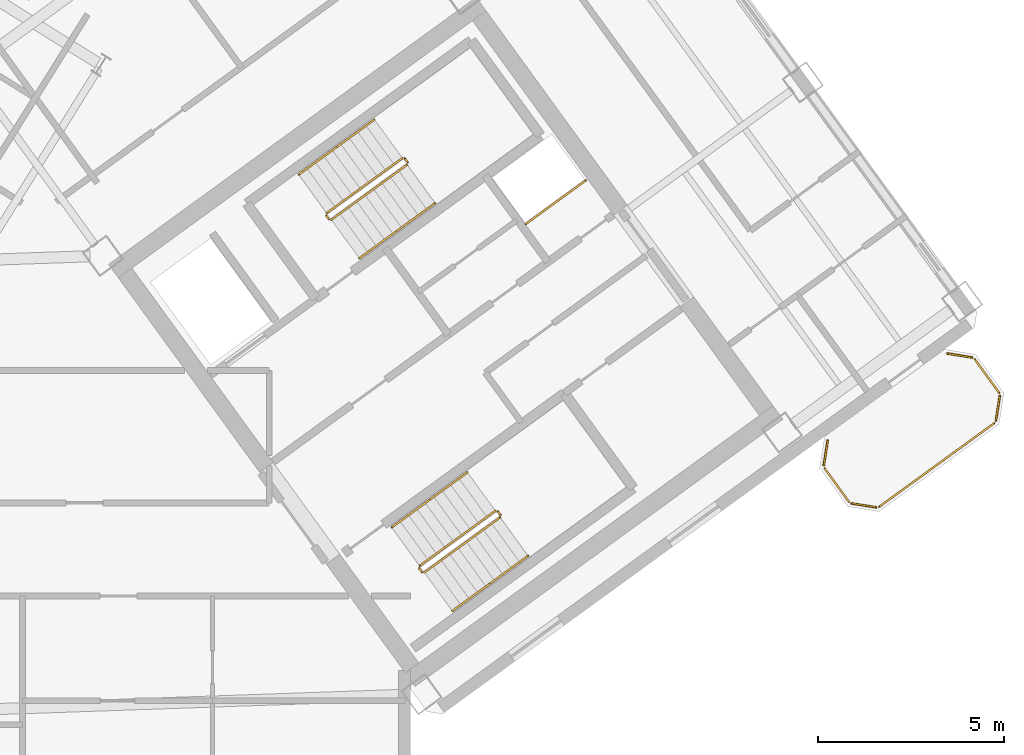
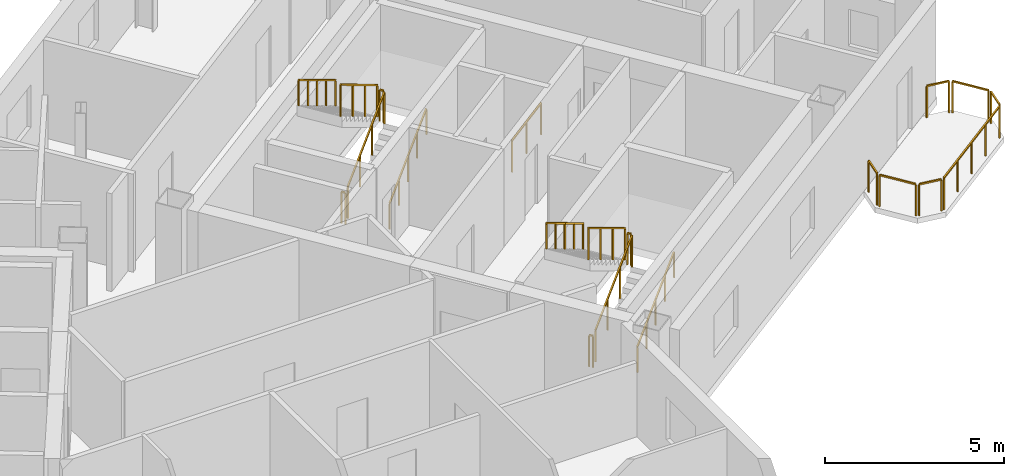
# One storey, part 19 of 20: 24 railings.
"""IFC4 building model written with IfcOpenShell, lengths in metres."""

import ifcopenshell
import ifcopenshell.guid

model = None  # the IFC model being written
_history = None  # IfcOwnerHistory: only IFC2X3 demands one
_inside = {}  # id of a spatial element -> (the spatial element, [elements in it])
_under = {}  # id of a project, library or spatial element -> (it, [spatial elements below it])
_declared = {}  # id of a project -> (the project, [libraries it declares])
_typed = {}  # id of a type object -> (the type object, [elements of that type])
_made_of = {}  # id of a material, layer set ... -> (it, [elements and type objects made of it])


def new_model(schema):
    """Start an empty IFC model of exactly this schema.

    Asked for "IFC4X3", IfcOpenShell would pick the latest addendum, in which some entities
    have other attributes; the version numbers below select the first issue.
    IFC2X3 requires an IfcOwnerHistory on every rooted entity: one is made here for all.
    """
    global model, _history
    if schema == "IFC4X3":
        model = ifcopenshell.file(schema_version=(4, 3, 0, 0))
    else:
        model = ifcopenshell.file(schema=schema)
    _inside.clear()
    _under.clear()
    _declared.clear()
    _typed.clear()
    _made_of.clear()
    _history = None
    if model.schema == "IFC2X3":
        org = make("IfcOrganization", Name="unknown")
        user = make(
            "IfcPersonAndOrganization",
            ThePerson=make("IfcPerson", FamilyName="unknown"),
            TheOrganization=org,
        )
        app = make(
            "IfcApplication",
            ApplicationDeveloper=org,
            Version="unknown",
            ApplicationFullName="unknown",
            ApplicationIdentifier="unknown",
        )
        _history = make(
            "IfcOwnerHistory",
            OwningUser=user,
            OwningApplication=app,
            ChangeAction="ADDED",
            CreationDate=0,
        )
    return model


def make(cls, **values):
    """One entity of the class cls with the attributes given. An attribute that is None is left unset."""
    return model.create_entity(
        cls, **{name: value for name, value in values.items() if value is not None}
    )


def rooted(cls, **values):
    """An entity with a GlobalId (a new one), such as an element, a storey or a relation."""
    return make(cls, GlobalId=ifcopenshell.guid.new(), OwnerHistory=_history, **values)


def si_unit(unit_type, name, prefix=None):
    """IfcSIUnit, for example si_unit("LENGTHUNIT", "METRE", prefix="MILLI")."""
    return make("IfcSIUnit", UnitType=unit_type, Prefix=prefix, Name=name)


def assignment(units):
    """IfcUnitAssignment: the units of a project."""
    return None if units is None else make("IfcUnitAssignment", Units=units)


def point(xyz):
    """IfcCartesianPoint."""
    return None if xyz is None else make("IfcCartesianPoint", Coordinates=xyz)


def direction(xyz):
    """IfcDirection."""
    return None if xyz is None else make("IfcDirection", DirectionRatios=xyz)


def frame(location, z_axis=None, x_axis=None):
    """IfcAxis2Placement3D, a coordinate frame: its origin and axes. An axis left out is left unset."""
    return make(
        "IfcAxis2Placement3D",
        Location=point(location),
        Axis=direction(z_axis),
        RefDirection=direction(x_axis),
    )


def frame_2d(location, x_axis=None):
    """IfcAxis2Placement2D, a coordinate frame in the plane: its origin and x axis."""
    return make(
        "IfcAxis2Placement2D", Location=point(location), RefDirection=direction(x_axis)
    )


def origin():
    """The frame at (0, 0, 0) with its axes left unset."""
    return frame((0.0, 0.0, 0.0))


def origin_2d():
    """The frame at (0, 0) in the plane with its x axis left unset."""
    return frame_2d((0.0, 0.0))


def place(relative_to, where):
    """IfcLocalPlacement: puts the frame where relative to a parent placement (None: the world)."""
    return make(
        "IfcLocalPlacement", PlacementRelTo=relative_to, RelativePlacement=where
    )


def context(
    kind, dimensions, precision=None, world=None, true_north=None, identifier=None
):
    """IfcGeometricRepresentationContext, for example the 3D "Model" context."""
    return make(
        "IfcGeometricRepresentationContext",
        ContextIdentifier=identifier,
        ContextType=kind,
        CoordinateSpaceDimension=dimensions,
        Precision=precision,
        WorldCoordinateSystem=world,
        TrueNorth=true_north,
    )


def subcontext(parent, identifier, kind, view, scale=None):
    """IfcGeometricRepresentationSubContext, for example "Body" below "Model"."""
    return make(
        "IfcGeometricRepresentationSubContext",
        ContextIdentifier=identifier,
        ContextType=kind,
        ParentContext=parent,
        TargetScale=scale,
        TargetView=view,
    )


def project(units=None, contexts=None):
    """IfcProject with its units and contexts."""
    return rooted(
        "IfcProject",
        Name="project",
        RepresentationContexts=contexts,
        UnitsInContext=assignment(units),
    )


def spatial(cls, under=None, at=None, **own):
    """A site, building, storey or space (cls), placed at a placement, below another one or the project."""
    s = rooted(cls, ObjectPlacement=at, **own)
    if under is not None:
        _under.setdefault(under.id(), (under, []))[1].append(s)
    return s


def profile(cls, at=None, kind="AREA", **sizes):
    """A parametric profile (cls). Its sizes go by their IFC names, for example OverallWidth=200.0."""
    return make(cls, ProfileType=kind, Position=at, **sizes)


def rectangle(**sizes):
    """IfcRectangleProfileDef."""
    return profile("IfcRectangleProfileDef", **sizes)


def extrude(swept, where, along, depth):
    """IfcExtrudedAreaSolid: the profile swept, set in the frame where, extruded along a direction by depth."""
    return make(
        "IfcExtrudedAreaSolid",
        SweptArea=swept,
        Position=where,
        ExtrudedDirection=direction(along),
        Depth=depth,
    )


def shape(context_of_items, identifier, shape_type, items):
    """IfcShapeRepresentation: the items that make up one representation, for example the "Body"."""
    return make(
        "IfcShapeRepresentation",
        ContextOfItems=context_of_items,
        RepresentationIdentifier=identifier,
        RepresentationType=shape_type,
        Items=items,
    )


def source(mapping_origin, context_of_items, identifier, shape_type, items):
    """IfcRepresentationMap: a shape defined once, which mapped items show again and again."""
    return make(
        "IfcRepresentationMap",
        MappingOrigin=mapping_origin,
        MappedRepresentation=shape(context_of_items, identifier, shape_type, items),
    )


def transform(
    local_origin,
    x_axis=None,
    y_axis=None,
    z_axis=None,
    scale=None,
    scale2=None,
    scale3=None,
    uniform=True,
):
    """IfcCartesianTransformationOperator3D, or its non-uniform kind. x_axis, y_axis, z_axis: its Axis1, 2, 3."""
    if uniform:
        return make(
            "IfcCartesianTransformationOperator3D",
            Axis1=direction(x_axis),
            Axis2=direction(y_axis),
            LocalOrigin=point(local_origin),
            Scale=scale,
            Axis3=direction(z_axis),
        )
    return make(
        "IfcCartesianTransformationOperator3DnonUniform",
        Axis1=direction(x_axis),
        Axis2=direction(y_axis),
        LocalOrigin=point(local_origin),
        Scale=scale,
        Axis3=direction(z_axis),
        Scale2=scale2,
        Scale3=scale3,
    )


def mapped(mapping_source, mapping_target):
    """IfcMappedItem: shows the shape of a source again, moved by a transform."""
    return make(
        "IfcMappedItem", MappingSource=mapping_source, MappingTarget=mapping_target
    )


def material(Name=None, Category=None):
    """IfcMaterial."""
    return make("IfcMaterial", Name=Name, Category=Category)


def made_of(thing, what):
    """Note that an element or type object is made of a material, layer set ...; save() writes the relation."""
    if what is not None:
        _made_of.setdefault(what.id(), (what, []))[1].append(thing)
    return thing


def type_object(cls, material=None, **own):
    """A type object (cls), such as IfcWallType, which elements share."""
    return made_of(rooted(cls, **own), material)


def element(
    cls,
    number,
    at=None,
    inside=None,
    cuts=None,
    type_object=None,
    material=None,
    context=None,
    identifier="Body",
    shape_type=None,
    held_by="IfcProductDefinitionShape",
    body=None,
    shapes=None,
    **own,
):
    """One element of the class cls, such as IfcWall. Its Tag is "e" and its number.

    at: its placement. inside: the storey or other place that contains it. cuts: it is an
    opening in that element (IfcRelVoidsElement). A single representation is given by context,
    identifier, shape_type and body (its items); several are given by shapes. held_by: the class
    of the entity that holds the representations. save() writes the other relations.
    """
    e = rooted(cls, Tag="e%d" % number, ObjectPlacement=at, **own)
    if body is not None:
        shapes = [shape(context, identifier, shape_type, body)]
    if shapes is not None:
        e.Representation = make(held_by, Representations=shapes)
    if inside is not None:
        _inside.setdefault(inside.id(), (inside, []))[1].append(e)
    if cuts is not None:
        rooted(
            "IfcRelVoidsElement", RelatingBuildingElement=cuts, RelatedOpeningElement=e
        )
    if type_object is not None:
        _typed.setdefault(type_object.id(), (type_object, []))[1].append(e)
    return made_of(e, material)


def aggregate(whole, parts):
    """IfcRelAggregates: a whole, such as a stair, and the parts it consists of."""
    return rooted("IfcRelAggregates", RelatingObject=whole, RelatedObjects=parts)


def save(model, path):
    """Write the relations noted so far, then the file.

    IfcRelAggregates (storeys below a building ...), IfcRelContainedInSpatialStructure (elements
    in a storey), IfcRelDefinesByType, IfcRelAssociatesMaterial and IfcRelDeclares: one each for
    every whole, place, type object, material and project.
    """
    for whole, parts in _under.values():
        aggregate(whole, parts)
    for where, things in _inside.values():
        rooted(
            "IfcRelContainedInSpatialStructure",
            RelatedElements=things,
            RelatingStructure=where,
        )
    for kind, things in _typed.values():
        rooted("IfcRelDefinesByType", RelatedObjects=things, RelatingType=kind)
    for what, things in _made_of.values():
        rooted("IfcRelAssociatesMaterial", RelatedObjects=things, RelatingMaterial=what)
    for by, libraries in _declared.values():
        rooted("IfcRelDeclares", RelatingContext=by, RelatedDefinitions=libraries)
    model.write(path)


model = new_model("IFC4")

# Units and contexts
model_context = context("Model", 3, precision=1e-05, world=origin(), true_north=direction((0.0, 1.0)))
body_context = subcontext(model_context, "Body", "Model", "MODEL_VIEW")
ifc_project = project(units=[si_unit("LENGTHUNIT", "METRE"), si_unit("AREAUNIT", "SQUARE_METRE"), si_unit("VOLUMEUNIT", "CUBIC_METRE"), si_unit("PLANEANGLEUNIT", "RADIAN"), si_unit("MASSUNIT", "GRAM", prefix="KILO")], contexts=[model_context])

# Site, building, storey
site_placement = place(None, origin())
site = spatial("IfcSite", under=ifc_project, at=site_placement, CompositionType="ELEMENT")
building_placement = place(site_placement, origin())
building = spatial("IfcBuilding", under=site, at=building_placement, Name="Tlacorven Tower", CompositionType="ELEMENT")
storey_placement = place(building_placement, frame((0.0, 0.0, 225.60009765625)))
storey = spatial("IfcBuildingStorey", under=building, at=storey_placement, Name="L57", CompositionType="ELEMENT", Elevation=225.60009765625)

# Railings
ifc_material = material(Name="Aluminium and painted steel balustrade", Category="steel")
railing_type_1 = type_object("IfcRailingType", Name="RL-GRD-1100", PredefinedType="GUARDRAIL", material=ifc_material)
shared_shape_1 = source(origin(), body_context, "Body", "SweptSolid", [
    extrude(rectangle(XDim=0.048095703125, YDim=0.048095703125, at=origin_2d()), frame((0.0, 0.0, 1.076171875), z_axis=(0.808947177504, 0.587881334972, 0.0), x_axis=(-0.587881334972, 0.808947177504, 0.0)), (0.0, 0.0, 1.0), 2.0),
    extrude(rectangle(XDim=0.0419921875, YDim=0.0419921875, at=origin_2d()), origin(), (0.0, 0.0, 1.0), 1.052001953125),
    extrude(rectangle(XDim=0.0419921875, YDim=0.0419921875, at=origin_2d()), frame((0.80908203125, 0.587890625, 0.0)), (0.0, 0.0, 1.0), 1.052001953125),
    extrude(rectangle(XDim=0.0419921875, YDim=0.0419921875, at=origin_2d()), frame((1.617919921875, 1.17578125, 0.0)), (0.0, 0.0, 1.0), 1.052001953125),
])
railing_1_placement = place(storey_placement, frame((55.506103515625, 25.438232421875, 0.0)))
element("IfcRailing", 1, at=railing_1_placement, inside=storey, type_object=railing_type_1, Name="L57 Electrical Riser E Shaft Guard 1", PredefinedType="GUARDRAIL", context=body_context, shape_type="MappedRepresentation", body=[
    mapped(shared_shape_1, transform((0.0, 0.0, 0.0), scale=1.0)),
])
railing_type_2 = type_object("IfcRailingType", Name="RL-BAL-1100", PredefinedType="BALUSTRADE", material=ifc_material)
shared_shape_2 = source(origin(), body_context, "Body", "SweptSolid", [
    extrude(rectangle(XDim=0.048095703125, YDim=0.048095703125, at=origin_2d()), frame((0.0, 0.0, 1.076171875), z_axis=(0.156602868908, 0.987661653326, 0.0), x_axis=(-0.987661653326, 0.156602868908, 0.0)), (0.0, 0.0, 1.0), 0.665771484375),
    extrude(rectangle(XDim=0.0419921875, YDim=0.0419921875, at=origin_2d()), origin(), (0.0, 0.0, 1.0), 1.052001953125),
    extrude(rectangle(XDim=0.0419921875, YDim=0.0419921875, at=origin_2d()), frame((0.104248046875, 0.657470703125, 0.0)), (0.0, 0.0, 1.0), 1.052001953125),
])
railing_2_placement = place(storey_placement, frame((63.539306640625, 18.949951171875, 0.0)))
element("IfcRailing", 2, at=railing_2_placement, inside=storey, type_object=railing_type_2, Name="BAL-L57-E-OUT Guard Railing 3", PredefinedType="BALUSTRADE", context=body_context, shape_type="MappedRepresentation", body=[
    mapped(shared_shape_2, transform((0.0, 0.0, 0.0), scale=1.0)),
])
shared_shape_3 = source(origin(), body_context, "Body", "SweptSolid", [
    extrude(rectangle(XDim=0.048095703125, YDim=0.048095703125, at=origin_2d()), frame((0.0, 0.0, 1.076171875), z_axis=(0.58788449985, -0.808944877501, 0.0), x_axis=(0.808944877501, 0.58788449985, 0.0)), (0.0, 0.0, 1.0), 1.112060546875),
    extrude(rectangle(XDim=0.0419921875, YDim=0.0419921875, at=origin_2d()), origin(), (0.0, 0.0, 1.0), 1.052001953125),
    extrude(rectangle(XDim=0.0419921875, YDim=0.0419921875, at=origin_2d()), frame((0.65380859375, -0.899658203125, 0.0)), (0.0, 0.0, 1.0), 1.052001953125),
])
railing_3_placement = place(storey_placement, frame((67.60595703125, 21.799072265625, 0.0)))
element("IfcRailing", 3, at=railing_3_placement, inside=storey, type_object=railing_type_2, Name="BAL-L57-E-OUT Guard Railing 5", PredefinedType="BALUSTRADE", context=body_context, shape_type="MappedRepresentation", body=[
    mapped(shared_shape_3, transform((0.0, 0.0, 0.0), scale=1.0)),
])
shared_shape_4 = source(origin(), body_context, "Body", "SweptSolid", [
    extrude(rectangle(XDim=0.048095703125, YDim=0.048095703125, at=origin_2d()), frame((0.0, 0.0, 1.076171875), z_axis=(-0.809018102573, -0.587783726986, 0.0), x_axis=(0.587783726986, -0.809018102573, 0.0)), (0.0, 0.0, 1.0), 3.817138671875),
    extrude(rectangle(XDim=0.0419921875, YDim=0.0419921875, at=origin_2d()), origin(), (0.0, 0.0, 1.0), 1.052001953125),
    extrude(rectangle(XDim=0.0419921875, YDim=0.0419921875, at=origin_2d()), frame((-0.77197265625, -0.56103515625, 0.0)), (0.0, 0.0, 1.0), 1.052001953125),
    extrude(rectangle(XDim=0.0419921875, YDim=0.0419921875, at=origin_2d()), frame((-1.5439453125, -1.121826171875, 0.0)), (0.0, 0.0, 1.0), 1.052001953125),
    extrude(rectangle(XDim=0.0419921875, YDim=0.0419921875, at=origin_2d()), frame((-2.316162109375, -1.6826171875, 0.0)), (0.0, 0.0, 1.0), 1.052001953125),
    extrude(rectangle(XDim=0.0419921875, YDim=0.0419921875, at=origin_2d()), frame((-3.088134765625, -2.24365234375, 0.0)), (0.0, 0.0, 1.0), 1.052001953125),
])
railing_4_placement = place(storey_placement, frame((68.12890625, 20.0732421875, 0.0)))
element("IfcRailing", 4, at=railing_4_placement, inside=storey, type_object=railing_type_2, Name="BAL-L57-E-OUT Guard Railing 7", PredefinedType="BALUSTRADE", context=body_context, shape_type="MappedRepresentation", body=[
    mapped(shared_shape_4, transform((0.0, 0.0, 0.0), scale=1.0)),
])
shared_shape_5 = source(origin(), body_context, "Body", "SweptSolid", [
    extrude(rectangle(XDim=0.048095703125, YDim=0.048095703125, at=origin_2d()), frame((0.0, 0.0, 1.076171875), z_axis=(-0.987718317463, 0.156245081039, 0.0), x_axis=(-0.156245081039, -0.987718317463, 0.0)), (0.0, 0.0, 1.0), 0.66552734375),
    extrude(rectangle(XDim=0.0419921875, YDim=0.0419921875, at=origin_2d()), origin(), (0.0, 0.0, 1.0), 1.052001953125),
    extrude(rectangle(XDim=0.0419921875, YDim=0.0419921875, at=origin_2d()), frame((-0.657470703125, 0.10400390625, 0.0)), (0.0, 0.0, 1.0), 1.052001953125),
])
railing_5_placement = place(storey_placement, frame((64.950927734375, 17.80810546875, 0.0)))
element("IfcRailing", 5, at=railing_5_placement, inside=storey, type_object=railing_type_2, Name="BAL-L57-E-OUT Guard Railing 1", PredefinedType="BALUSTRADE", context=body_context, shape_type="MappedRepresentation", body=[
    mapped(shared_shape_5, transform((0.0, 0.0, 0.0), scale=1.0)),
])
shared_shape_6 = source(origin(), body_context, "Body", "SweptSolid", [
    extrude(rectangle(XDim=0.048095703125, YDim=0.048095703125, at=origin_2d()), frame((0.0, 0.0, 1.076171875), z_axis=(-0.587740817519, 0.809049276263, 0.0), x_axis=(-0.809049276263, -0.587740817519, 0.0)), (0.0, 0.0, 1.0), 1.112060546875),
    extrude(rectangle(XDim=0.0419921875, YDim=0.0419921875, at=origin_2d()), origin(), (0.0, 0.0, 1.0), 1.052001953125),
    extrude(rectangle(XDim=0.0419921875, YDim=0.0419921875, at=origin_2d()), frame((-0.653564453125, 0.899658203125, 0.0)), (0.0, 0.0, 1.0), 1.052001953125),
])
railing_6_placement = place(storey_placement, frame((64.214599609375, 17.96044921875, 0.0)))
element("IfcRailing", 6, at=railing_6_placement, inside=storey, type_object=railing_type_2, Name="BAL-L57-E-OUT Guard Railing 2", PredefinedType="BALUSTRADE", context=body_context, shape_type="MappedRepresentation", body=[
    mapped(shared_shape_6, transform((0.0, 0.0, 0.0), scale=1.0)),
])
shared_shape_7 = source(origin(), body_context, "Body", "SweptSolid", [
    extrude(rectangle(XDim=0.048095703125, YDim=0.048095703125, at=origin_2d()), frame((0.0, 0.0, 1.076171875), z_axis=(-0.156245081039, -0.987718317463, 0.0), x_axis=(0.987718317463, -0.156245081039, 0.0)), (0.0, 0.0, 1.0), 0.66552734375),
    extrude(rectangle(XDim=0.0419921875, YDim=0.0419921875, at=origin_2d()), origin(), (0.0, 0.0, 1.0), 1.052001953125),
    extrude(rectangle(XDim=0.0419921875, YDim=0.0419921875, at=origin_2d()), frame((-0.10400390625, -0.657470703125, 0.0)), (0.0, 0.0, 1.0), 1.052001953125),
])
railing_7_placement = place(storey_placement, frame((68.28125, 20.8095703125, 0.0)))
element("IfcRailing", 7, at=railing_7_placement, inside=storey, type_object=railing_type_2, Name="BAL-L57-E-OUT Guard Railing 6", PredefinedType="BALUSTRADE", context=body_context, shape_type="MappedRepresentation", body=[
    mapped(shared_shape_7, transform((0.0, 0.0, 0.0), scale=1.0)),
])
shared_shape_8 = source(origin(), body_context, "Body", "SweptSolid", [
    extrude(rectangle(XDim=0.048095703125, YDim=0.048095703125, at=origin_2d()), frame((0.0, 0.0, 1.076171875), z_axis=(0.987727266442, -0.156188498702, 0.0), x_axis=(0.156188498702, 0.987727266442, 0.0)), (0.0, 0.0, 1.0), 0.665771484375),
    extrude(rectangle(XDim=0.0419921875, YDim=0.0419921875, at=origin_2d()), origin(), (0.0, 0.0, 1.0), 1.052001953125),
    extrude(rectangle(XDim=0.0419921875, YDim=0.0419921875, at=origin_2d()), frame((0.65771484375, -0.10400390625, 0.0)), (0.0, 0.0, 1.0), 1.052001953125),
])
railing_8_placement = place(storey_placement, frame((66.86962890625, 21.951416015625, 0.0)))
element("IfcRailing", 8, at=railing_8_placement, inside=storey, type_object=railing_type_2, Name="BAL-L57-E-OUT Guard Railing 4", PredefinedType="BALUSTRADE", context=body_context, shape_type="MappedRepresentation", body=[
    mapped(shared_shape_8, transform((0.0, 0.0, 0.0), scale=1.0)),
])
shared_shape_9 = source(origin(), body_context, "Body", "SweptSolid", [
    extrude(rectangle(XDim=0.048095703125, YDim=0.048095703125, at=origin_2d()), frame((0.0, 0.0, 1.076171875), z_axis=(-0.587567097037, 0.809175448515, 0.0), x_axis=(-0.809175448515, -0.587567097037, 0.0)), (0.0, 0.0, 1.0), 0.1201171875),
    extrude(rectangle(XDim=0.0419921875, YDim=0.0419921875, at=origin_2d()), origin(), (0.0, 0.0, 1.0), 1.052001953125),
    extrude(rectangle(XDim=0.0419921875, YDim=0.0419921875, at=origin_2d()), frame((-0.070556640625, 0.09716796875, 0.0)), (0.0, 0.0, 1.0), 1.052001953125),
])
for number, where, name in (
    (9, (54.8310546875, 17.605712890625, 1.7998046875), "L57 ST-E2 stair guard 2"),
    (10, (52.71142578125, 16.065673828125, 0.0), "L57 ST-E2 stair guard 4"),
):
    element("IfcRailing", number, at=place(storey_placement, frame(where)), inside=storey, type_object=railing_type_1, Name=name, PredefinedType="GUARDRAIL", context=body_context, shape_type="MappedRepresentation", body=[
        mapped(shared_shape_9, transform((0.0, 0.0, 0.0), scale=1.0)),
    ])
shared_shape_10 = source(origin(), body_context, "Body", "SweptSolid", [
    extrude(rectangle(XDim=0.048095703125, YDim=0.048095703125, at=origin_2d()), frame((0.0, 0.0, 1.076171875), z_axis=(-0.587201422542, 0.809440849824, 0.0), x_axis=(-0.809440849824, -0.587201422542, 0.0)), (0.0, 0.0, 1.0), 0.11962890625),
    extrude(rectangle(XDim=0.0419921875, YDim=0.0419921875, at=origin_2d()), origin(), (0.0, 0.0, 1.0), 1.052001953125),
    extrude(rectangle(XDim=0.0419921875, YDim=0.0419921875, at=origin_2d()), frame((-0.0703125, 0.096923828125, 0.0)), (0.0, 0.0, 1.0), 1.052001953125),
])
for number, where, name in (
    (11, (52.326904296875, 27.10888671875, 1.7998046875), "L57 ST-E1 stair guard 2"),
    (12, (50.207275390625, 25.56884765625, 0.0), "L57 ST-E1 stair guard 4"),
):
    element("IfcRailing", number, at=place(storey_placement, frame(where)), inside=storey, type_object=railing_type_1, Name=name, PredefinedType="GUARDRAIL", context=body_context, shape_type="MappedRepresentation", body=[
        mapped(shared_shape_10, transform((0.0, 0.0, 0.0), scale=1.0)),
    ])
railing_type_3 = type_object("IfcRailingType", Name="RL-HND-0900", PredefinedType="HANDRAIL", material=ifc_material)
shared_shape_11 = source(origin(), body_context, "Body", "SweptSolid", [
    extrude(rectangle(XDim=0.048095703125, YDim=0.048095703125, at=origin_2d()), frame((0.0, 0.0, 0.8759765625), z_axis=(0.680516055757, 0.494372502302, 0.540826891737), x_axis=(-0.587745292299, 0.809046025502, 0.0)), (0.0, 0.0, 1.0), 1.497802734375),
    extrude(rectangle(XDim=0.0419921875, YDim=0.0419921875, at=origin_2d()), origin(), (0.0, 0.0, 1.0), 0.851806640625),
    extrude(rectangle(XDim=0.0419921875, YDim=0.0419921875, at=origin_2d()), frame((0.509765625, 0.3701171875, 0.405029296875)), (0.0, 0.0, 1.0), 0.851806640625),
    extrude(rectangle(XDim=0.0419921875, YDim=0.0419921875, at=origin_2d()), frame((1.019287109375, 0.740478515625, 0.81005859375)), (0.0, 0.0, 1.0), 0.851806640625),
])
railing_9_placement = place(storey_placement, frame((51.029541015625, 24.522216796875, 0.179931640625)))
element("IfcRailing", 13, at=railing_9_placement, inside=storey, type_object=railing_type_3, Name="L57 ST-E1 stair handrail 1", PredefinedType="HANDRAIL", context=body_context, shape_type="MappedRepresentation", body=[
    mapped(shared_shape_11, transform((0.0, 0.0, 0.0), scale=1.0)),
])
shared_shape_12 = source(origin(), body_context, "Body", "SweptSolid", [
    extrude(rectangle(XDim=0.048095703125, YDim=0.048095703125, at=origin_2d()), frame((0.0, 0.0, 0.8759765625), z_axis=(-0.680461216233, -0.494495647917, 0.540783309093), x_axis=(0.587872112667, -0.808953879494, 0.0)), (0.0, 0.0, 1.0), 1.498046875),
    extrude(rectangle(XDim=0.0419921875, YDim=0.0419921875, at=origin_2d()), origin(), (0.0, 0.0, 1.0), 0.851806640625),
    extrude(rectangle(XDim=0.0419921875, YDim=0.0419921875, at=origin_2d()), frame((-0.509765625, -0.370361328125, 0.405029296875)), (0.0, 0.0, 1.0), 0.851806640625),
    extrude(rectangle(XDim=0.0419921875, YDim=0.0419921875, at=origin_2d()), frame((-1.019287109375, -0.74072265625, 0.81005859375)), (0.0, 0.0, 1.0), 0.851806640625),
])
for number, where, name in (
    (14, (50.414794921875, 27.511962890625, 2.789794921875), "L57 ST-E1 stair handrail 4"),
    (15, (52.9189453125, 18.0087890625, 2.789794921875), "L57 ST-E2 stair handrail 4"),
):
    element("IfcRailing", number, at=place(storey_placement, frame(where)), inside=storey, type_object=railing_type_3, Name=name, PredefinedType="HANDRAIL", context=body_context, shape_type="MappedRepresentation", body=[
        mapped(shared_shape_12, transform((0.0, 0.0, 0.0), scale=1.0)),
    ])
shared_shape_13 = source(origin(), body_context, "Body", "SweptSolid", [
    extrude(rectangle(XDim=0.048095703125, YDim=0.048095703125, at=origin_2d()), frame((0.0, 0.0, 1.076171875), z_axis=(0.680518627673, 0.494455869951, 0.540747436481), x_axis=(-0.5878087079, 0.808999952359, 0.0)), (0.0, 0.0, 1.0), 2.99560546875),
    extrude(rectangle(XDim=0.0419921875, YDim=0.0419921875, at=origin_2d()), origin(), (0.0, 0.0, 1.0), 1.052001953125),
    extrude(rectangle(XDim=0.0419921875, YDim=0.0419921875, at=origin_2d()), frame((0.679443359375, 0.49365234375, 0.5400390625)), (0.0, 0.0, 1.0), 1.052001953125),
    extrude(rectangle(XDim=0.0419921875, YDim=0.0419921875, at=origin_2d()), frame((1.359130859375, 0.987548828125, 1.079833984375)), (0.0, 0.0, 1.0), 1.052001953125),
    extrude(rectangle(XDim=0.0419921875, YDim=0.0419921875, at=origin_2d()), frame((2.03857421875, 1.481201171875, 1.619873046875)), (0.0, 0.0, 1.0), 1.052001953125),
])
railing_10_placement = place(storey_placement, frame((50.27734375, 25.557861328125, 0.179931640625)))
element("IfcRailing", 16, at=railing_10_placement, inside=storey, type_object=railing_type_1, Name="L57 ST-E1 stair guard 1", PredefinedType="GUARDRAIL", context=body_context, shape_type="MappedRepresentation", body=[
    mapped(shared_shape_13, transform((0.0, 0.0, 0.0), scale=1.0)),
])
shared_shape_14 = source(origin(), body_context, "Body", "SweptSolid", [
    extrude(rectangle(XDim=0.048095703125, YDim=0.048095703125, at=origin_2d()), frame((0.0, 0.0, 1.076171875), z_axis=(-0.680518627673, -0.494455869951, 0.540747436481), x_axis=(0.5878087079, -0.808999952359, 0.0)), (0.0, 0.0, 1.0), 2.99560546875),
    extrude(rectangle(XDim=0.0419921875, YDim=0.0419921875, at=origin_2d()), origin(), (0.0, 0.0, 1.0), 1.052001953125),
    extrude(rectangle(XDim=0.0419921875, YDim=0.0419921875, at=origin_2d()), frame((-0.679443359375, -0.49365234375, 0.5400390625)), (0.0, 0.0, 1.0), 1.052001953125),
    extrude(rectangle(XDim=0.0419921875, YDim=0.0419921875, at=origin_2d()), frame((-1.359130859375, -0.987548828125, 1.079833984375)), (0.0, 0.0, 1.0), 1.052001953125),
    extrude(rectangle(XDim=0.0419921875, YDim=0.0419921875, at=origin_2d()), frame((-2.03857421875, -1.481201171875, 1.619873046875)), (0.0, 0.0, 1.0), 1.052001953125),
])
railing_11_placement = place(storey_placement, frame((52.1865234375, 27.217041015625, 1.97998046875)))
element("IfcRailing", 17, at=railing_11_placement, inside=storey, type_object=railing_type_1, Name="L57 ST-E1 stair guard 3", PredefinedType="GUARDRAIL", context=body_context, shape_type="MappedRepresentation", body=[
    mapped(shared_shape_14, transform((0.0, 0.0, 0.0), scale=1.0)),
])
shared_shape_15 = source(origin(), body_context, "Body", "SweptSolid", [
    extrude(rectangle(XDim=0.048095703125, YDim=0.048095703125, at=origin_2d()), frame((0.0, 0.0, 0.8759765625), z_axis=(0.680608688748, 0.494484377792, 0.540608003012), x_axis=(-0.587779977844, 0.80902082646, 0.0)), (0.0, 0.0, 1.0), 1.498046875),
    extrude(rectangle(XDim=0.0419921875, YDim=0.0419921875, at=origin_2d()), origin(), (0.0, 0.0, 1.0), 0.851806640625),
    extrude(rectangle(XDim=0.0419921875, YDim=0.0419921875, at=origin_2d()), frame((0.509765625, 0.370361328125, 0.40478515625)), (0.0, 0.0, 1.0), 0.851806640625),
    extrude(rectangle(XDim=0.0419921875, YDim=0.0419921875, at=origin_2d()), frame((1.01953125, 0.74072265625, 0.809814453125)), (0.0, 0.0, 1.0), 0.851806640625),
])
railing_12_placement = place(storey_placement, frame((52.048828125, 25.2626953125, 0.989990234375)))
element("IfcRailing", 18, at=railing_12_placement, inside=storey, type_object=railing_type_3, Name="L57 ST-E1 stair handrail 2", PredefinedType="HANDRAIL", context=body_context, shape_type="MappedRepresentation", body=[
    mapped(shared_shape_15, transform((0.0, 0.0, 0.0), scale=1.0)),
])
shared_shape_16 = source(origin(), body_context, "Body", "SweptSolid", [
    extrude(rectangle(XDim=0.048095703125, YDim=0.048095703125, at=origin_2d()), frame((0.0, 0.0, 0.8759765625), z_axis=(-0.680663537655, -0.494361233168, 0.540651569541), x_axis=(0.587653156371, -0.809112951205, 0.0)), (0.0, 0.0, 1.0), 1.497802734375),
    extrude(rectangle(XDim=0.0419921875, YDim=0.0419921875, at=origin_2d()), origin(), (0.0, 0.0, 1.0), 0.851806640625),
    extrude(rectangle(XDim=0.0419921875, YDim=0.0419921875, at=origin_2d()), frame((-0.509765625, -0.3701171875, 0.40478515625)), (0.0, 0.0, 1.0), 0.851806640625),
    extrude(rectangle(XDim=0.0419921875, YDim=0.0419921875, at=origin_2d()), frame((-1.01953125, -0.740478515625, 0.809814453125)), (0.0, 0.0, 1.0), 0.851806640625),
])
railing_13_placement = place(storey_placement, frame((51.434326171875, 28.25244140625, 1.97998046875)))
element("IfcRailing", 19, at=railing_13_placement, inside=storey, type_object=railing_type_3, Name="L57 ST-E1 stair handrail 3", PredefinedType="HANDRAIL", context=body_context, shape_type="MappedRepresentation", body=[
    mapped(shared_shape_16, transform((0.0, 0.0, 0.0), scale=1.0)),
])
shared_shape_17 = source(origin(), body_context, "Body", "SweptSolid", [
    extrude(rectangle(XDim=0.048095703125, YDim=0.048095703125, at=origin_2d()), frame((0.0, 0.0, 0.8759765625), z_axis=(0.680576044605, 0.494416082224, 0.54071155448), x_axis=(-0.587745292299, 0.809046025502, 0.0)), (0.0, 0.0, 1.0), 1.497802734375),
    extrude(rectangle(XDim=0.0419921875, YDim=0.0419921875, at=origin_2d()), origin(), (0.0, 0.0, 1.0), 0.851806640625),
    extrude(rectangle(XDim=0.0419921875, YDim=0.0419921875, at=origin_2d()), frame((0.509765625, 0.3701171875, 0.40478515625)), (0.0, 0.0, 1.0), 0.851806640625),
    extrude(rectangle(XDim=0.0419921875, YDim=0.0419921875, at=origin_2d()), frame((1.019287109375, 0.740478515625, 0.809814453125)), (0.0, 0.0, 1.0), 0.851806640625),
])
railing_14_placement = place(storey_placement, frame((54.552978515625, 15.759765625, 0.989990234375)))
element("IfcRailing", 20, at=railing_14_placement, inside=storey, type_object=railing_type_3, Name="L57 ST-E2 stair handrail 2", PredefinedType="HANDRAIL", context=body_context, shape_type="MappedRepresentation", body=[
    mapped(shared_shape_17, transform((0.0, 0.0, 0.0), scale=1.0)),
])
shared_shape_18 = source(origin(), body_context, "Body", "SweptSolid", [
    extrude(rectangle(XDim=0.048095703125, YDim=0.048095703125, at=origin_2d()), frame((0.0, 0.0, 0.8759765625), z_axis=(0.680461216233, 0.494495647917, 0.540783309093), x_axis=(-0.587872112667, 0.808953879494, 0.0)), (0.0, 0.0, 1.0), 1.498046875),
    extrude(rectangle(XDim=0.0419921875, YDim=0.0419921875, at=origin_2d()), origin(), (0.0, 0.0, 1.0), 0.851806640625),
    extrude(rectangle(XDim=0.0419921875, YDim=0.0419921875, at=origin_2d()), frame((0.509765625, 0.370361328125, 0.405029296875)), (0.0, 0.0, 1.0), 0.851806640625),
    extrude(rectangle(XDim=0.0419921875, YDim=0.0419921875, at=origin_2d()), frame((1.019287109375, 0.74072265625, 0.81005859375)), (0.0, 0.0, 1.0), 0.851806640625),
])
railing_15_placement = place(storey_placement, frame((53.53369140625, 15.01904296875, 0.179931640625)))
element("IfcRailing", 21, at=railing_15_placement, inside=storey, type_object=railing_type_3, Name="L57 ST-E2 stair handrail 1", PredefinedType="HANDRAIL", context=body_context, shape_type="MappedRepresentation", body=[
    mapped(shared_shape_18, transform((0.0, 0.0, 0.0), scale=1.0)),
])
shared_shape_19 = source(origin(), body_context, "Body", "SweptSolid", [
    extrude(rectangle(XDim=0.048095703125, YDim=0.048095703125, at=origin_2d()), frame((0.0, 0.0, 1.076171875), z_axis=(0.680562380517, 0.494428447203, 0.540717446381), x_axis=(-0.587762637553, 0.809033424462, 0.0)), (0.0, 0.0, 1.0), 2.995849609375),
    extrude(rectangle(XDim=0.0419921875, YDim=0.0419921875, at=origin_2d()), origin(), (0.0, 0.0, 1.0), 1.052001953125),
    extrude(rectangle(XDim=0.0419921875, YDim=0.0419921875, at=origin_2d()), frame((0.6796875, 0.49365234375, 0.5400390625)), (0.0, 0.0, 1.0), 1.052001953125),
    extrude(rectangle(XDim=0.0419921875, YDim=0.0419921875, at=origin_2d()), frame((1.359130859375, 0.987548828125, 1.079833984375)), (0.0, 0.0, 1.0), 1.052001953125),
    extrude(rectangle(XDim=0.0419921875, YDim=0.0419921875, at=origin_2d()), frame((2.038818359375, 1.481201171875, 1.619873046875)), (0.0, 0.0, 1.0), 1.052001953125),
])
railing_16_placement = place(storey_placement, frame((52.78125, 16.0546875, 0.179931640625)))
element("IfcRailing", 22, at=railing_16_placement, inside=storey, type_object=railing_type_1, Name="L57 ST-E2 stair guard 1", PredefinedType="GUARDRAIL", context=body_context, shape_type="MappedRepresentation", body=[
    mapped(shared_shape_19, transform((0.0, 0.0, 0.0), scale=1.0)),
])
shared_shape_20 = source(origin(), body_context, "Body", "SweptSolid", [
    extrude(rectangle(XDim=0.048095703125, YDim=0.048095703125, at=origin_2d()), frame((0.0, 0.0, 1.076171875), z_axis=(-0.680562380517, -0.494428447203, 0.540717446381), x_axis=(0.587762637553, -0.809033424462, 0.0)), (0.0, 0.0, 1.0), 2.995849609375),
    extrude(rectangle(XDim=0.0419921875, YDim=0.0419921875, at=origin_2d()), origin(), (0.0, 0.0, 1.0), 1.052001953125),
    extrude(rectangle(XDim=0.0419921875, YDim=0.0419921875, at=origin_2d()), frame((-0.6796875, -0.49365234375, 0.5400390625)), (0.0, 0.0, 1.0), 1.052001953125),
    extrude(rectangle(XDim=0.0419921875, YDim=0.0419921875, at=origin_2d()), frame((-1.359130859375, -0.987548828125, 1.079833984375)), (0.0, 0.0, 1.0), 1.052001953125),
    extrude(rectangle(XDim=0.0419921875, YDim=0.0419921875, at=origin_2d()), frame((-2.038818359375, -1.481201171875, 1.619873046875)), (0.0, 0.0, 1.0), 1.052001953125),
])
railing_17_placement = place(storey_placement, frame((54.690673828125, 17.7138671875, 1.97998046875)))
element("IfcRailing", 23, at=railing_17_placement, inside=storey, type_object=railing_type_1, Name="L57 ST-E2 stair guard 3", PredefinedType="GUARDRAIL", context=body_context, shape_type="MappedRepresentation", body=[
    mapped(shared_shape_20, transform((0.0, 0.0, 0.0), scale=1.0)),
])
shared_shape_21 = source(origin(), body_context, "Body", "SweptSolid", [
    extrude(rectangle(XDim=0.048095703125, YDim=0.048095703125, at=origin_2d()), frame((0.0, 0.0, 0.8759765625), z_axis=(-0.680576044605, -0.494416082224, 0.54071155448), x_axis=(0.587745292299, -0.809046025502, 0.0)), (0.0, 0.0, 1.0), 1.497802734375),
    extrude(rectangle(XDim=0.0419921875, YDim=0.0419921875, at=origin_2d()), origin(), (0.0, 0.0, 1.0), 0.851806640625),
    extrude(rectangle(XDim=0.0419921875, YDim=0.0419921875, at=origin_2d()), frame((-0.509765625, -0.3701171875, 0.40478515625)), (0.0, 0.0, 1.0), 0.851806640625),
    extrude(rectangle(XDim=0.0419921875, YDim=0.0419921875, at=origin_2d()), frame((-1.019287109375, -0.740478515625, 0.809814453125)), (0.0, 0.0, 1.0), 0.851806640625),
])
railing_18_placement = place(storey_placement, frame((53.938232421875, 18.749267578125, 1.97998046875)))
element("IfcRailing", 24, at=railing_18_placement, inside=storey, type_object=railing_type_3, Name="L57 ST-E2 stair handrail 3", PredefinedType="HANDRAIL", context=body_context, shape_type="MappedRepresentation", body=[
    mapped(shared_shape_21, transform((0.0, 0.0, 0.0), scale=1.0)),
])

save(model, "model.ifc")
